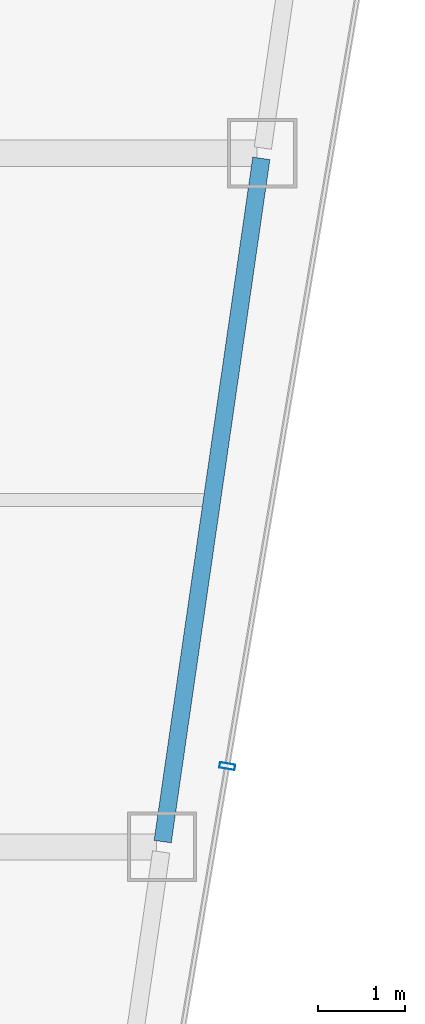
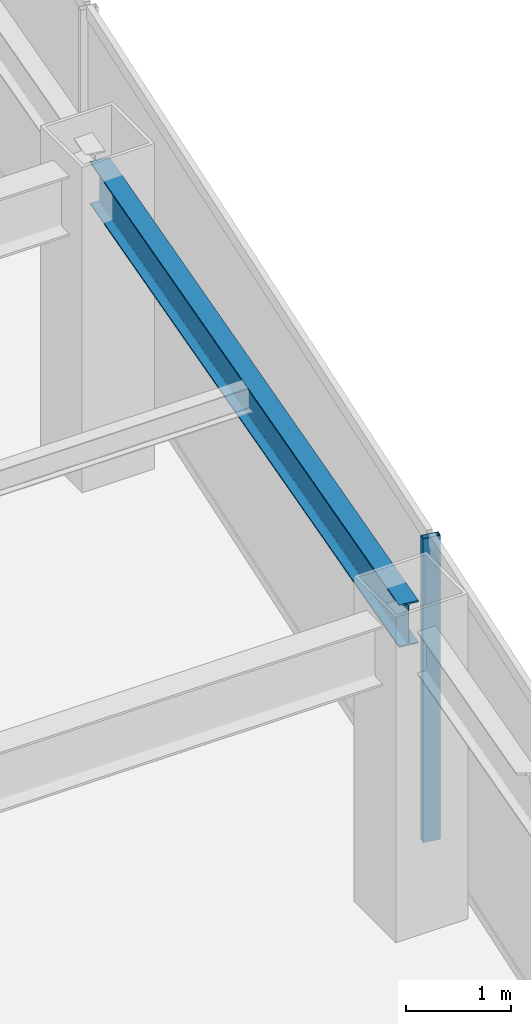
# One storey, part 20 of 35: 1 beam, 1 member, 1 element without a shape of its own.
"""IFC4 building model written with IfcOpenShell, lengths in metres."""

from ifc_helpers import new_model, si_unit, direction, frame, origin, origin_2d, place, context, subcontext, project, spatial, hollow_rectangle, i_section, extrude, material, material_profile, profile_set, type_object, element, aggregate, save


model = new_model("IFC4")

# Units and contexts
model_context = context("Model", 3, precision=1e-05, world=origin(), true_north=direction((0.0, 1.0)))
body_context = subcontext(model_context, "Body", "Model", "MODEL_VIEW")
ifc_project = project(units=[si_unit("LENGTHUNIT", "METRE"), si_unit("AREAUNIT", "SQUARE_METRE"), si_unit("VOLUMEUNIT", "CUBIC_METRE"), si_unit("PLANEANGLEUNIT", "RADIAN"), si_unit("MASSUNIT", "GRAM", prefix="KILO")], contexts=[model_context])

# Site, building, storey
site_placement = place(None, origin())
site = spatial("IfcSite", under=ifc_project, at=site_placement, CompositionType="ELEMENT")
building_placement = place(site_placement, origin())
building = spatial("IfcBuilding", under=site, at=building_placement, Name="Saevonmaru Cultural Tower", CompositionType="ELEMENT")
storey_placement = place(building_placement, frame((0.0, 0.0, 194.199951171875)))
storey = spatial("IfcBuildingStorey", under=building, at=storey_placement, Name="L44", CompositionType="ELEMENT", Elevation=194.199951171875)

# Beam
ifc_material_1 = material(Name="Steel SM355", Category="steel")
ifc_material_profile_1 = material_profile(ifc_material_1, i_section(OverallWidth=0.199951171875, OverallDepth=0.5, WebThickness=0.010009765625, FlangeThickness=0.01611328125, FilletRadius=0.02001953125, at=origin_2d()), Name="H-500x200x10x16")
ifc_profile_set_1 = profile_set([ifc_material_profile_1], Name="Steel SM355")
beam_type = type_object("IfcBeamType", Name="BM-SP-H500", PredefinedType="SPANDREL", material=ifc_profile_set_1)
beam_placement = place(storey_placement, frame((50.53662109375, 24.059326171875, 3.300048828125), z_axis=(0.142871999001, 0.989741174197, 0.0), x_axis=(-0.989741174197, 0.142871999001, 0.0)))
element("IfcBeam", 1, at=beam_placement, inside=storey, type_object=beam_type, Name="L44 East Splayed Spandrel 2", PredefinedType="SPANDREL", context=body_context, shape_type="SweptSolid", body=[
    extrude(i_section(OverallWidth=0.199951171875, OverallDepth=0.5, WebThickness=0.010009765625, FlangeThickness=0.01611328125, FilletRadius=0.02001953125, at=origin_2d()), origin(), (0.0, 0.0, 1.0), 7.963134765625),
])

# Curtain wall, member
ifc_material_2 = material(Name="Satin Bronze Anodised Aluminium", Category="aluminium")
curtain_wall_type = type_object("IfcCurtainWallType", Name="CW-TYP-B", PredefinedType="NOTDEFINED", material=ifc_material_2)
curtain_wall_placement = place(storey_placement, origin())
curtain_wall = element("IfcCurtainWall", 2, at=curtain_wall_placement, inside=storey, type_object=curtain_wall_type, Name="L44 Unitised Curtain Wall E8", PredefinedType="NOTDEFINED")
ifc_material_profile_2 = material_profile(ifc_material_2, hollow_rectangle(XDim=0.06494140625, YDim=0.179931640625, WallThickness=0.00390625, at=origin_2d()), Name="ALU-MULL-180x65x4")
ifc_profile_set_2 = profile_set([ifc_material_profile_2], Name="Satin Bronze Anodised Aluminium")
member_type = type_object("IfcMemberType", Name="ML-CW-180x65", PredefinedType="MULLION", material=ifc_profile_set_2)
member_placement = place(storey_placement, frame((51.28173828125, 24.9296875, 0.0), z_axis=(0.0, 0.0, 1.0), x_axis=(0.16692169721, 0.985970155228, 0.0)))
member = element("IfcMember", 3, at=member_placement, type_object=member_type, Name="CW-TW-L44-E8 mullion 2", PredefinedType="MULLION", context=body_context, shape_type="SweptSolid", body=[
    extrude(hollow_rectangle(XDim=0.06494140625, YDim=0.179931640625, WallThickness=0.00390625, at=origin_2d()), origin(), (0.0, 0.0, 1.0), 3.550048828125),
])
aggregate(curtain_wall, [member])

save(model, "model.ifc")
